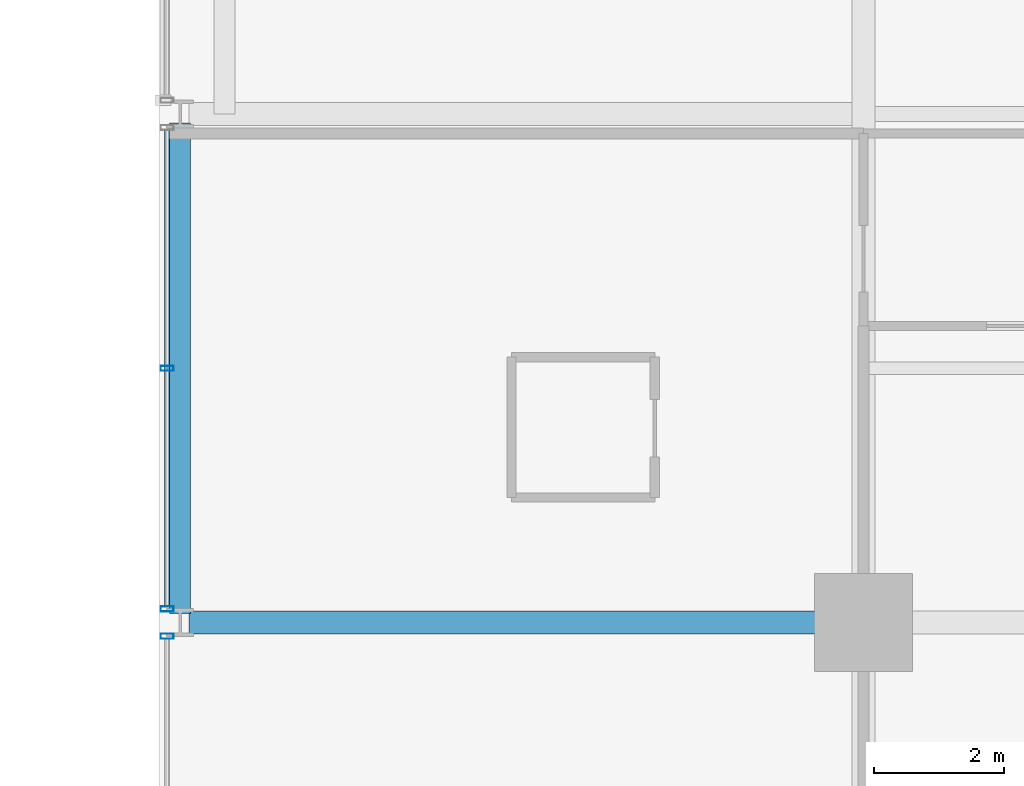
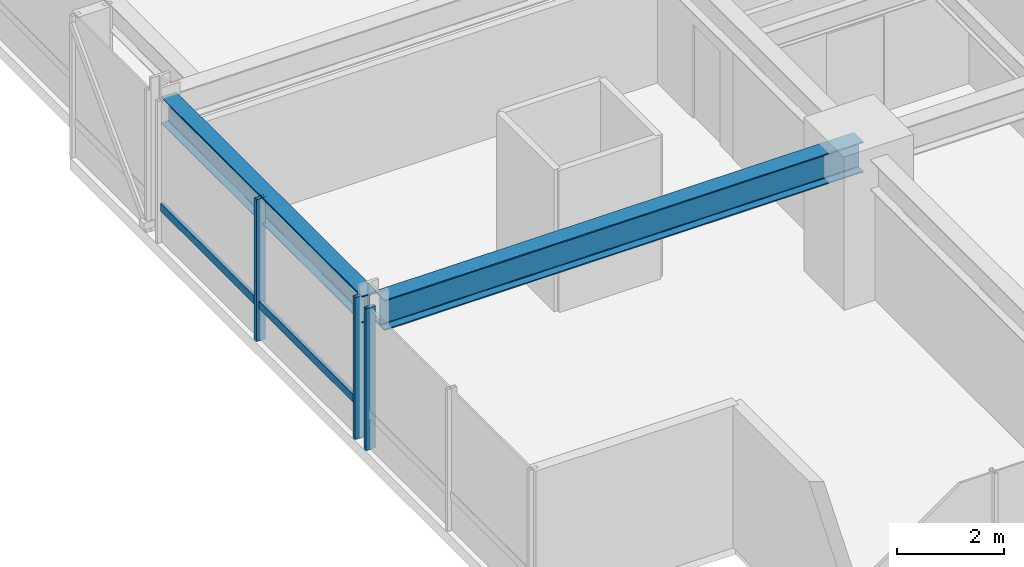
# One storey, part 4 of 34: 4 members, 2 beams, 2 elements without a shape of their own.
"""IFC4 building model written with IfcOpenShell, lengths in metres."""

from ifc_helpers import new_model, si_unit, direction, frame, origin, origin_2d, place, context, subcontext, project, spatial, hollow_rectangle, i_section, extrude, material, layer, layer_set, material_profile, profile_set, type_object, element, aggregate, save


model = new_model("IFC4")

# Units and contexts
model_context = context("Model", 3, precision=1e-05, world=origin(), true_north=direction((0.0, 1.0)))
body_context = subcontext(model_context, "Body", "Model", "MODEL_VIEW")
ifc_project = project(units=[si_unit("LENGTHUNIT", "METRE"), si_unit("AREAUNIT", "SQUARE_METRE"), si_unit("VOLUMEUNIT", "CUBIC_METRE"), si_unit("PLANEANGLEUNIT", "RADIAN"), si_unit("MASSUNIT", "GRAM", prefix="KILO")], contexts=[model_context])

# Site, building, storey
site_placement = place(None, origin())
site = spatial("IfcSite", under=ifc_project, at=site_placement, CompositionType="ELEMENT")
building_placement = place(site_placement, origin())
building = spatial("IfcBuilding", under=site, at=building_placement, Name="Drelvath Grand Hotel", CompositionType="ELEMENT")
storey_placement = place(building_placement, frame((0.0, 0.0, 126.800048828125)))
storey = spatial("IfcBuildingStorey", under=building, at=storey_placement, Name="L32", CompositionType="ELEMENT", Elevation=126.800048828125)

# Curtain wall, member
ifc_material_1 = material(Name="Champagne Bronze Anodised Aluminium Frame", Category="aluminium")
ifc_layer = layer(ifc_material_1, 0.199951171875)
ifc_layer_set = layer_set([ifc_layer], Name="Champagne Bronze Anodised Aluminium Frame")
curtain_wall_type = type_object("IfcCurtainWallType", Name="Stick Curtain Wall CW-03 Champagne Bronze Mid-Rise", PredefinedType="NOTDEFINED", material=ifc_layer_set)
curtain_wall_1_placement = place(storey_placement, origin())
curtain_wall_1 = element("IfcCurtainWall", 1, at=curtain_wall_1_placement, inside=storey, type_object=curtain_wall_type, Name="L32 CW-03 Curtain Wall CW03-L32-WS2", PredefinedType="NOTDEFINED")
ifc_material_profile_1 = material_profile(ifc_material_1, hollow_rectangle(XDim=0.074951171875, YDim=0.179931640625, WallThickness=0.0048828125, at=origin_2d()), Name="HSS180X75X5")
ifc_profile_set_1 = profile_set([ifc_material_profile_1], Name="Champagne Bronze Anodised Aluminium Frame")
member_type_1 = type_object("IfcMemberType", Name="Curtain Wall Horizontal Transom CW-03 HSS180X75X5", PredefinedType="USERDEFINED", material=ifc_profile_set_1)
member_1_placement = place(storey_placement, frame((-26.8798828125, 11.04931640625, 0.81005859375), z_axis=(0.0, 1.0, 0.0), x_axis=(-1.0, 0.0, 0.0)))
member_1 = element("IfcMember", 2, at=member_1_placement, type_object=member_type_1, Name="CW03-L32-WS2 Sill Transom", ObjectType="TRANSOM", PredefinedType="USERDEFINED", context=body_context, shape_type="SweptSolid", body=[
    extrude(hollow_rectangle(XDim=0.074951171875, YDim=0.179931640625, WallThickness=0.0048828125, at=origin_2d()), origin(), (0.0, 0.0, 1.0), 7.30126953125),
])

curtain_wall_2_placement = place(storey_placement, origin())
curtain_wall_2 = element("IfcCurtainWall", 3, at=curtain_wall_2_placement, inside=storey, type_object=curtain_wall_type, Name="L32 CW-03 Curtain Wall CW03-L32-WS1", PredefinedType="NOTDEFINED")
ifc_material_profile_2 = material_profile(ifc_material_1, hollow_rectangle(XDim=0.080078125, YDim=0.199951171875, WallThickness=0.0048828125, at=origin_2d()), Name="HSS200X80X5")
ifc_profile_set_2 = profile_set([ifc_material_profile_2], Name="Champagne Bronze Anodised Aluminium Frame")
member_type_2 = type_object("IfcMemberType", Name="Curtain Wall Vertical Mullion CW-03 HSS200X80X5", PredefinedType="MULLION", material=ifc_profile_set_2)
member_2_placement = place(storey_placement, frame((-26.8798828125, 10.590576171875, 0.0), z_axis=(0.0, 0.0, 1.0), x_axis=(0.0, 1.0, 0.0)))
member_2 = element("IfcMember", 4, at=member_2_placement, type_object=member_type_2, Name="CW03-L32-WS1 Mullion 3", PredefinedType="MULLION", context=body_context, shape_type="SweptSolid", body=[
    extrude(hollow_rectangle(XDim=0.080078125, YDim=0.199951171875, WallThickness=0.0048828125, at=origin_2d()), origin(), (0.0, 0.0, 1.0), 3.239990234375),
])
aggregate(curtain_wall_2, [member_2])

# Member
member_3_placement = place(storey_placement, frame((-26.8798828125, 11.009521484375, 0.0), z_axis=(0.0, 0.0, 1.0), x_axis=(0.0, 1.0, 0.0)))
member_3 = element("IfcMember", 5, at=member_3_placement, type_object=member_type_2, Name="CW03-L32-WS2 Mullion 1", PredefinedType="MULLION", context=body_context, shape_type="SweptSolid", body=[
    extrude(hollow_rectangle(XDim=0.080078125, YDim=0.199951171875, WallThickness=0.0048828125, at=origin_2d()), origin(), (0.0, 0.0, 1.0), 3.239990234375),
])

member_4_placement = place(storey_placement, frame((-26.8798828125, 14.699951171875, 0.0), z_axis=(0.0, 0.0, 1.0), x_axis=(0.0, 1.0, 0.0)))
member_4 = element("IfcMember", 6, at=member_4_placement, type_object=member_type_2, Name="CW03-L32-WS2 Mullion 2", PredefinedType="MULLION", context=body_context, shape_type="SweptSolid", body=[
    extrude(hollow_rectangle(XDim=0.080078125, YDim=0.199951171875, WallThickness=0.0048828125, at=origin_2d()), origin(), (0.0, 0.0, 1.0), 3.239990234375),
])

aggregate(curtain_wall_1, [member_3, member_4, member_1])

# Beams
ifc_material_2 = material(Name="Steel ASTM A992 Gr 50", Category="steel")
ifc_material_profile_3 = material_profile(ifc_material_2, i_section(OverallWidth=0.323974609375, OverallDepth=0.611083984375, WebThickness=0.0126953125, FlangeThickness=0.01904296875, FilletRadius=0.02197265625, at=origin_2d()), Name="W24X104")
ifc_profile_set_3 = profile_set([ifc_material_profile_3], Name="Steel ASTM A992 Gr 50")
beam_type_1 = type_object("IfcBeamType", Name="Perimeter Spandrel Beam W24X104", PredefinedType="SPANDREL", material=ifc_profile_set_3)
beam_1_placement = place(storey_placement, frame((-26.679931640625, 10.93994140625, 2.934326171875), z_axis=(0.0, 1.0, 0.0), x_axis=(-1.0, 0.0, 0.0)))
element("IfcBeam", 7, at=beam_1_placement, inside=storey, type_object=beam_type_1, Name="L32 Spandrel West S", PredefinedType="SPANDREL", context=body_context, shape_type="SweptSolid", body=[
    extrude(i_section(OverallWidth=0.323974609375, OverallDepth=0.611083984375, WebThickness=0.0126953125, FlangeThickness=0.01904296875, FilletRadius=0.02197265625, at=origin_2d()), origin(), (0.0, 0.0, 1.0), 7.52001953125),
])
ifc_material_profile_4 = material_profile(ifc_material_2, i_section(OverallWidth=0.354736328125, OverallDepth=0.695556640625, WebThickness=0.015380859375, FlangeThickness=0.025146484375, FilletRadius=0.02392578125, at=origin_2d()), Name="W27X146")
ifc_profile_set_4 = profile_set([ifc_material_profile_4], Name="Steel ASTM A992 Gr 50")
beam_type_2 = type_object("IfcBeamType", Name="Primary Floor Girder W27X146", PredefinedType="BEAM", material=ifc_profile_set_4)
beam_2_placement = place(storey_placement, frame((-26.5400390625, 10.800048828125, 2.892333984375), z_axis=(1.0, 0.0, 0.0), x_axis=(0.0, 1.0, 0.0)))
element("IfcBeam", 8, at=beam_2_placement, inside=storey, type_object=beam_type_2, Name="L32 West Grid Girder C", PredefinedType="BEAM", context=body_context, shape_type="SweptSolid", body=[
    extrude(i_section(OverallWidth=0.354736328125, OverallDepth=0.695556640625, WebThickness=0.015380859375, FlangeThickness=0.025146484375, FilletRadius=0.02392578125, at=origin_2d()), origin(), (0.0, 0.0, 1.0), 10.340087890625),
])

save(model, "model.ifc")
